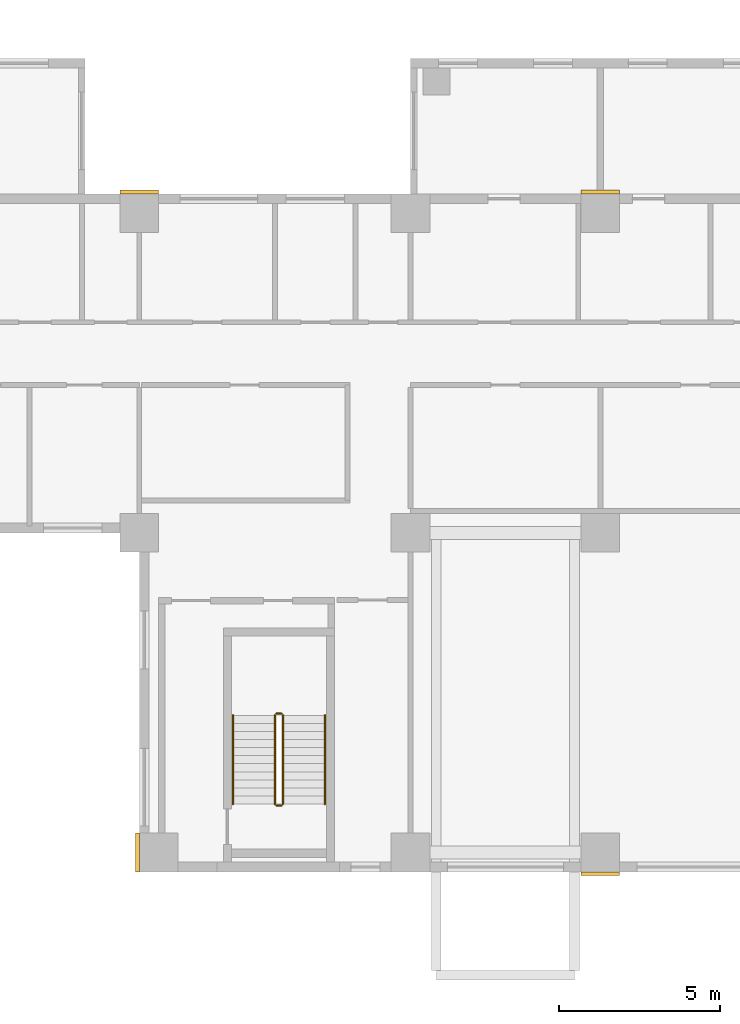
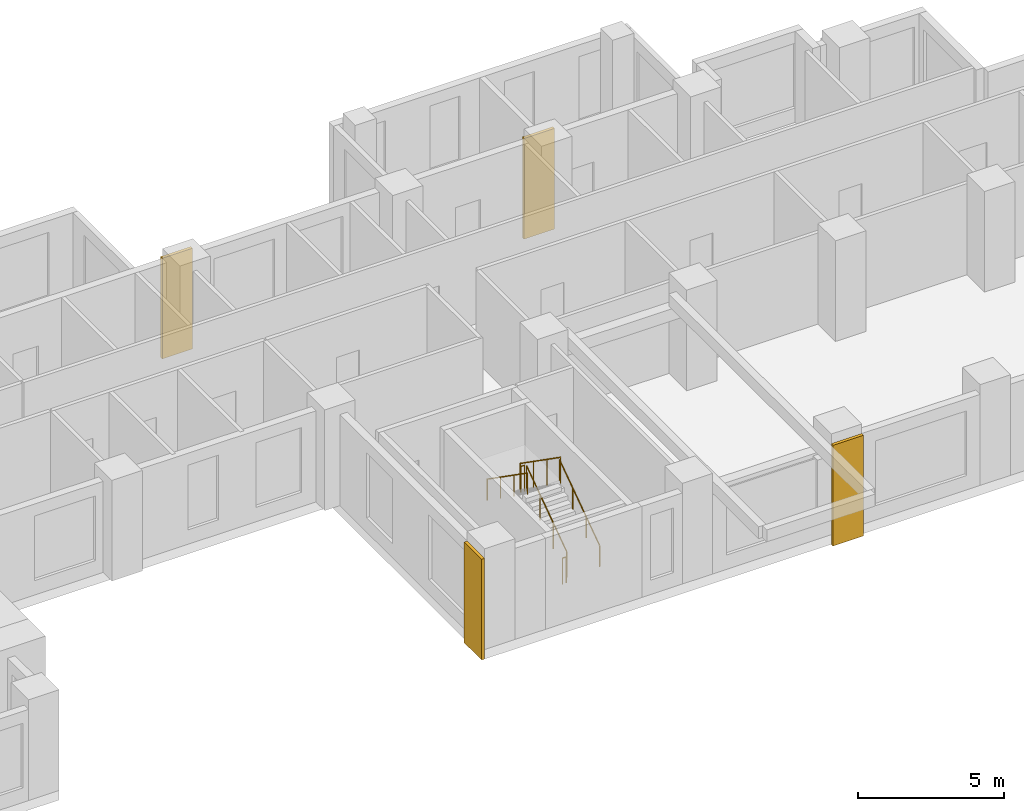
# One storey, part 12 of 14: 6 railings, 4 coverings.
"""IFC4 building model written with IfcOpenShell, lengths in metres."""

from ifc_helpers import new_model, si_unit, direction, frame, origin, origin_2d, place, context, subcontext, project, spatial, rectangle, circle, extrude, source, transform, mapped, material, type_object, element, save


model = new_model("IFC4")

# Units and contexts
model_context = context("Model", 3, precision=1e-05, world=origin(), true_north=direction((0.0, 1.0)))
body_context = subcontext(model_context, "Body", "Model", "MODEL_VIEW")
ifc_project = project(units=[si_unit("LENGTHUNIT", "METRE"), si_unit("AREAUNIT", "SQUARE_METRE"), si_unit("VOLUMEUNIT", "CUBIC_METRE"), si_unit("PLANEANGLEUNIT", "RADIAN"), si_unit("MASSUNIT", "GRAM", prefix="KILO")], contexts=[model_context])

# Site, building, storey
site_placement = place(None, origin())
site = spatial("IfcSite", under=ifc_project, at=site_placement, CompositionType="ELEMENT")
building_placement = place(site_placement, origin())
building = spatial("IfcBuilding", under=site, at=building_placement, Name="Aurelian Terraces", CompositionType="ELEMENT")
storey_placement = place(building_placement, frame((0.0, 0.0, 53.1)))
storey = spatial("IfcBuildingStorey", under=building, at=storey_placement, Name="L10", CompositionType="ELEMENT", Elevation=53.1)

# Coverings
ifc_material_1 = material(Name="Terracotta rainscreen cladding relief", Category="masonry")
covering_type = type_object("IfcCoveringType", Name="BAGUETTE-TC", PredefinedType="CLADDING", material=ifc_material_1)
shared_shape_1 = source(origin(), body_context, "Body", "SweptSolid", [
    extrude(rectangle(XDim=1.2, YDim=0.12, at=origin_2d()), origin(), (0.0, 0.0, 1.0), 4.2),
])
for number, where, z_axis, x_axis, name in (
    (1, (52.08, -0.06, -0.4), (0.0, 0.0, 1.0), (1.0, 0.0, 0.0), "BAGUETTE pier L10 3"),
    (2, (37.8, 21.06, -0.4), (0.0, 0.0, 1.0), (1.0, 0.0, 0.0), "BAGUETTE pier L10 5"),
    (3, (52.08, 21.06, -0.4), (0.0, 0.0, 1.0), (1.0, 0.0, 0.0), "BAGUETTE pier L10 6"),
):
    element("IfcCovering", number, at=place(storey_placement, frame(where, z_axis=z_axis, x_axis=x_axis)), inside=storey, type_object=covering_type, Name=name, PredefinedType="CLADDING", context=body_context, shape_type="MappedRepresentation", body=[
        mapped(shared_shape_1, transform((0.0, 0.0, 0.0), scale=1.0)),
    ])
shared_shape_2 = source(origin(), body_context, "Body", "SweptSolid", [
    extrude(rectangle(XDim=0.12, YDim=1.2, at=origin_2d()), origin(), (0.0, 0.0, 1.0), 4.2),
])
covering_placement = place(storey_placement, frame((37.74, 0.6, -0.4), z_axis=(0.0, 0.0, 1.0), x_axis=(1.0, 0.0, 0.0)))
element("IfcCovering", 4, at=covering_placement, inside=storey, type_object=covering_type, Name="BAGUETTE pier L10 2", PredefinedType="CLADDING", context=body_context, shape_type="MappedRepresentation", body=[
    mapped(shared_shape_2, transform((0.0, 0.0, 0.0), scale=1.0)),
])

# Railings
ifc_material_2 = material(Name="Stainless steel", Category="steel")
railing_type_1 = type_object("IfcRailingType", Name="Stair guard 1100", PredefinedType="GUARDRAIL", material=ifc_material_2)
shared_shape_3 = source(origin(), body_context, "Body", "SweptSolid", [
    extrude(circle(Radius=0.024, at=origin_2d()), frame((0.0, 0.0, 1.076), z_axis=(-1.0, 0.0, 0.0), x_axis=(0.0, -1.0, 0.0)), (0.0, 0.0, 1.0), 0.15),
    extrude(circle(Radius=0.021, at=origin_2d()), origin(), (0.0, 0.0, 1.0), 1.052),
    extrude(circle(Radius=0.021, at=origin_2d()), frame((-0.15, 0.0, 0.0)), (0.0, 0.0, 1.0), 1.052),
])
for number, where, name in (
    (5, (42.2, 4.9, 2.1), "L10 S2 stair guard 2"),
    (6, (42.2, 2.05, 0.0), "L10 S2 stair guard 4"),
):
    element("IfcRailing", number, at=place(storey_placement, frame(where)), inside=storey, type_object=railing_type_1, Name=name, PredefinedType="GUARDRAIL", context=body_context, shape_type="MappedRepresentation", body=[
        mapped(shared_shape_3, transform((0.0, 0.0, 0.0), scale=1.0)),
    ])
shared_shape_4 = source(origin(), body_context, "Body", "SweptSolid", [
    extrude(circle(Radius=0.024, at=origin_2d()), frame((0.0, 0.0, 1.076), z_axis=(0.0, 0.819231920519, 0.573462344363), x_axis=(-1.0, 0.0, 0.0)), (0.0, 0.0, 1.0), 3.3568),
    extrude(circle(Radius=0.021, at=origin_2d()), origin(), (0.0, 0.0, 1.0), 1.052),
    extrude(circle(Radius=0.021, at=origin_2d()), frame((0.0, 0.9167, 0.6417)), (0.0, 0.0, 1.0), 1.052),
    extrude(circle(Radius=0.021, at=origin_2d()), frame((0.0, 1.8333, 1.2833)), (0.0, 0.0, 1.0), 1.052),
    extrude(circle(Radius=0.021, at=origin_2d()), frame((0.0, 2.75, 1.925)), (0.0, 0.0, 1.0), 1.052),
])
railing_1_placement = place(storey_placement, frame((42.25, 2.1, 0.175)))
element("IfcRailing", 7, at=railing_1_placement, inside=storey, type_object=railing_type_1, Name="L10 S2 stair guard 1", PredefinedType="GUARDRAIL", context=body_context, shape_type="MappedRepresentation", body=[
    mapped(shared_shape_4, transform((0.0, 0.0, 0.0), scale=1.0)),
])
shared_shape_5 = source(origin(), body_context, "Body", "SweptSolid", [
    extrude(circle(Radius=0.024, at=origin_2d()), frame((0.0, 0.0, 1.076), z_axis=(0.0, -0.819231920519, 0.573462344363), x_axis=(1.0, 0.0, 0.0)), (0.0, 0.0, 1.0), 3.3568),
    extrude(circle(Radius=0.021, at=origin_2d()), origin(), (0.0, 0.0, 1.0), 1.052),
    extrude(circle(Radius=0.021, at=origin_2d()), frame((0.0, -0.9167, 0.6417)), (0.0, 0.0, 1.0), 1.052),
    extrude(circle(Radius=0.021, at=origin_2d()), frame((0.0, -1.8333, 1.2833)), (0.0, 0.0, 1.0), 1.052),
    extrude(circle(Radius=0.021, at=origin_2d()), frame((0.0, -2.75, 1.925)), (0.0, 0.0, 1.0), 1.052),
])
railing_2_placement = place(storey_placement, frame((42.0, 4.85, 2.275)))
element("IfcRailing", 8, at=railing_2_placement, inside=storey, type_object=railing_type_1, Name="L10 S2 stair guard 3", PredefinedType="GUARDRAIL", context=body_context, shape_type="MappedRepresentation", body=[
    mapped(shared_shape_5, transform((0.0, 0.0, 0.0), scale=1.0)),
])
railing_type_2 = type_object("IfcRailingType", Name="Stair handrail", PredefinedType="HANDRAIL", material=ifc_material_2)
shared_shape_6 = source(origin(), body_context, "Body", "SweptSolid", [
    extrude(circle(Radius=0.024, at=origin_2d()), frame((0.0, 0.0, 0.876), z_axis=(0.0, 0.819231920519, 0.573462344363), x_axis=(-1.0, 0.0, 0.0)), (0.0, 0.0, 1.0), 3.3568),
    extrude(circle(Radius=0.021, at=origin_2d()), origin(), (0.0, 0.0, 1.0), 0.852),
    extrude(circle(Radius=0.021, at=origin_2d()), frame((0.0, 0.9167, 0.6417)), (0.0, 0.0, 1.0), 0.852),
    extrude(circle(Radius=0.021, at=origin_2d()), frame((0.0, 1.8333, 1.2833)), (0.0, 0.0, 1.0), 0.852),
    extrude(circle(Radius=0.021, at=origin_2d()), frame((0.0, 2.75, 1.925)), (0.0, 0.0, 1.0), 0.852),
])
railing_3_placement = place(storey_placement, frame((43.55, 2.1, 0.175)))
element("IfcRailing", 9, at=railing_3_placement, inside=storey, type_object=railing_type_2, Name="L10 S2 stair handrail 1", PredefinedType="HANDRAIL", context=body_context, shape_type="MappedRepresentation", body=[
    mapped(shared_shape_6, transform((0.0, 0.0, 0.0), scale=1.0)),
])
shared_shape_7 = source(origin(), body_context, "Body", "SweptSolid", [
    extrude(circle(Radius=0.024, at=origin_2d()), frame((0.0, 0.0, 0.876), z_axis=(0.0, -0.819231920519, 0.573462344363), x_axis=(1.0, 0.0, 0.0)), (0.0, 0.0, 1.0), 3.3568),
    extrude(circle(Radius=0.021, at=origin_2d()), origin(), (0.0, 0.0, 1.0), 0.852),
    extrude(circle(Radius=0.021, at=origin_2d()), frame((0.0, -0.9167, 0.6417)), (0.0, 0.0, 1.0), 0.852),
    extrude(circle(Radius=0.021, at=origin_2d()), frame((0.0, -1.8333, 1.2833)), (0.0, 0.0, 1.0), 0.852),
    extrude(circle(Radius=0.021, at=origin_2d()), frame((0.0, -2.75, 1.925)), (0.0, 0.0, 1.0), 0.852),
])
railing_4_placement = place(storey_placement, frame((40.7, 4.85, 2.275)))
element("IfcRailing", 10, at=railing_4_placement, inside=storey, type_object=railing_type_2, Name="L10 S2 stair handrail 2", PredefinedType="HANDRAIL", context=body_context, shape_type="MappedRepresentation", body=[
    mapped(shared_shape_7, transform((0.0, 0.0, 0.0), scale=1.0)),
])

save(model, "model.ifc")
